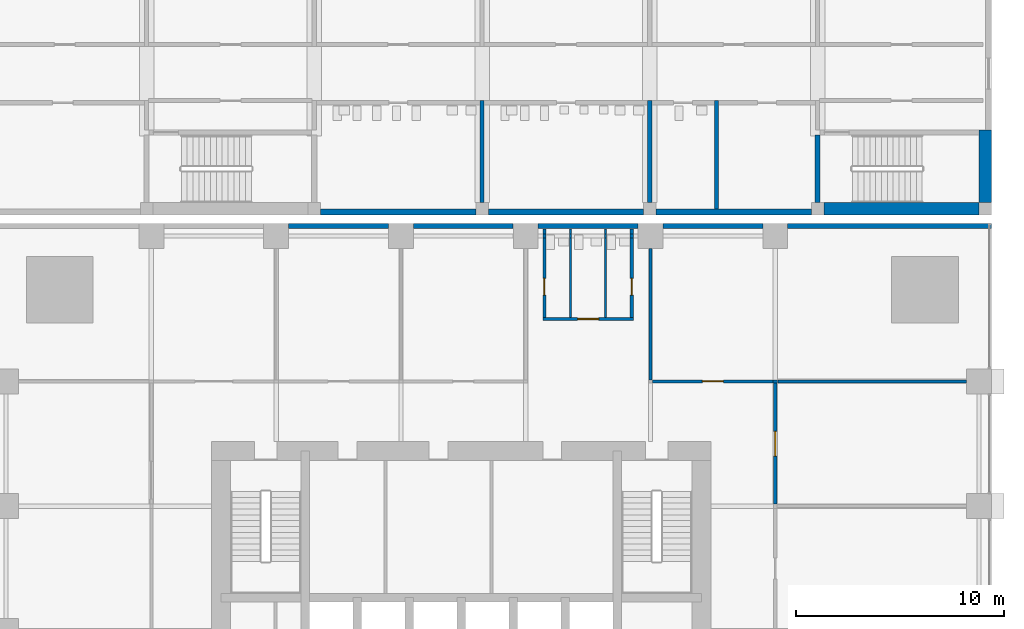
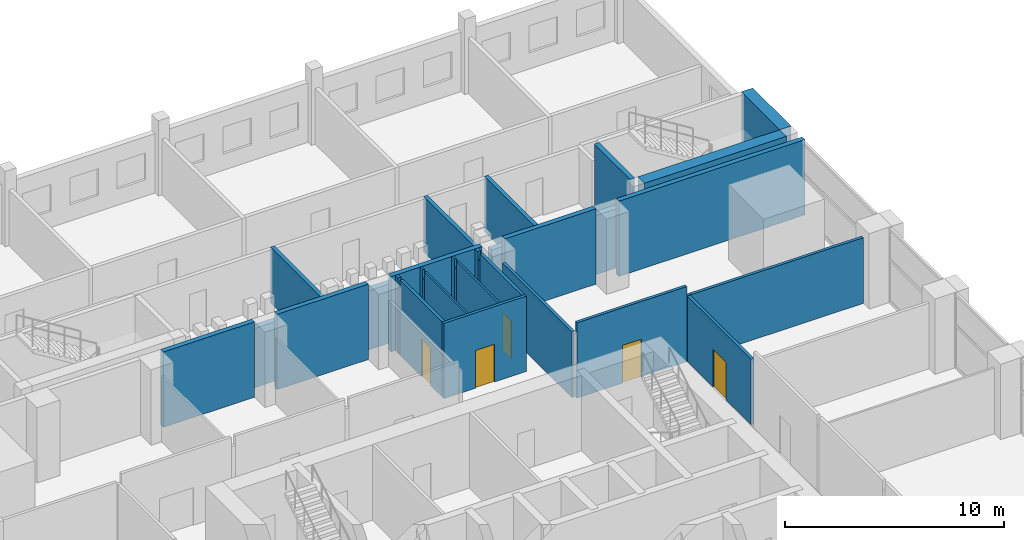
# One storey, part 15 of 25: 32 walls, 5 doors, 5 openings.
"""IFC4 building model written with IfcOpenShell, lengths in metres."""

from ifc_helpers import new_model, si_unit, direction, frame, frame_2d, origin, place, context, subcontext, project, spatial, rectangle, extrude, material, layer, layer_set, type_object, element, fill, save


model = new_model("IFC4")

# Units and contexts
model_context = context("Model", 3, precision=1e-05, world=origin(), true_north=direction((0.0, 1.0)))
body_context = subcontext(model_context, "Body", "Model", "MODEL_VIEW")
ifc_project = project(units=[si_unit("LENGTHUNIT", "METRE"), si_unit("AREAUNIT", "SQUARE_METRE"), si_unit("VOLUMEUNIT", "CUBIC_METRE"), si_unit("PLANEANGLEUNIT", "RADIAN"), si_unit("MASSUNIT", "GRAM", prefix="KILO")], contexts=[model_context])

# Site, building, storey
site_placement = place(None, origin())
site = spatial("IfcSite", under=ifc_project, at=site_placement, CompositionType="ELEMENT")
building_placement = place(site_placement, origin())
building = spatial("IfcBuilding", under=site, at=building_placement, Name="Amberfall Residences", CompositionType="ELEMENT")
storey_placement = place(building_placement, frame((0.0, 0.0, 14.5)))
storey = spatial("IfcBuildingStorey", under=building, at=storey_placement, Name="L03", CompositionType="ELEMENT", Elevation=14.5)

# Walls
ifc_material_1 = material(Name="Gypsum board on steel studs", Category="steel")
ifc_layer_1 = layer(ifc_material_1, 0.10009765625)
ifc_layer_set_1 = layer_set([ifc_layer_1], Name="Partition 100")
wall_type_1 = type_object("IfcWallType", Name="Partition 100", PredefinedType="PARTITIONING", material=ifc_layer_set_1)
wall_1_placement = place(storey_placement, frame((79.760009765625, 63.47509765625, 0.0), z_axis=(0.0, 0.0, 1.0), x_axis=(0.0, 1.0, 0.0)))
element("IfcWall", 1, at=wall_1_placement, inside=storey, type_object=wall_type_1, Name="Partition 100 L03 007", PredefinedType="PARTITIONING", context=body_context, shape_type="SweptSolid", body=[
    extrude(rectangle(XDim=3.830078125, YDim=0.10009765625, at=frame_2d((1.9150390625, 0.0))), origin(), (0.0, 0.0, 1.0), 4.199951171875),
])
wall_2_placement = place(storey_placement, frame((79.760009765625, 67.30517578125, 0.0), z_axis=(0.0, 0.0, 1.0), x_axis=(0.0, 1.0, 0.0)))
element("IfcWall", 2, at=wall_2_placement, inside=storey, type_object=wall_type_1, Name="Partition 100 L03 008", PredefinedType="PARTITIONING", context=body_context, shape_type="SweptSolid", body=[
    extrude(rectangle(XDim=0.18994140625, YDim=0.10009765625, at=frame_2d((0.094970703125, 0.0))), origin(), (0.0, 0.0, 1.0), 3.7470703125),
])
wall_3_placement = place(storey_placement, frame((79.760009765625, 67.4951171875, 0.0), z_axis=(0.0, 0.0, 1.0), x_axis=(0.0, 1.0, 0.0)))
element("IfcWall", 3, at=wall_3_placement, inside=storey, type_object=wall_type_1, Name="Partition 100 L03 009", PredefinedType="PARTITIONING", context=body_context, shape_type="SweptSolid", body=[
    extrude(rectangle(XDim=0.244873046875, YDim=0.10009765625, at=frame_2d((0.12255859375, 0.0))), origin(), (0.0, 0.0, 1.0), 4.199951171875),
])
wall_4_placement = place(storey_placement, frame((81.43994140625, 63.47509765625, 0.0), z_axis=(0.0, 0.0, 1.0), x_axis=(0.0, 1.0, 0.0)))
element("IfcWall", 4, at=wall_4_placement, inside=storey, type_object=wall_type_1, Name="Partition 100 L03 010", PredefinedType="PARTITIONING", context=body_context, shape_type="SweptSolid", body=[
    extrude(rectangle(XDim=3.830078125, YDim=0.10009765625, at=frame_2d((1.9150390625, 0.0))), origin(), (0.0, 0.0, 1.0), 4.199951171875),
])
wall_5_placement = place(storey_placement, frame((81.43994140625, 67.30517578125, 0.0), z_axis=(0.0, 0.0, 1.0), x_axis=(0.0, 1.0, 0.0)))
element("IfcWall", 5, at=wall_5_placement, inside=storey, type_object=wall_type_1, Name="Partition 100 L03 011", PredefinedType="PARTITIONING", context=body_context, shape_type="SweptSolid", body=[
    extrude(rectangle(XDim=0.18994140625, YDim=0.10009765625, at=frame_2d((0.094970703125, 0.0))), origin(), (0.0, 0.0, 1.0), 3.7470703125),
])
wall_6_placement = place(storey_placement, frame((81.43994140625, 67.4951171875, 0.0), z_axis=(0.0, 0.0, 1.0), x_axis=(0.0, 1.0, 0.0)))
element("IfcWall", 6, at=wall_6_placement, inside=storey, type_object=wall_type_1, Name="Partition 100 L03 012", PredefinedType="PARTITIONING", context=body_context, shape_type="SweptSolid", body=[
    extrude(rectangle(XDim=0.244873046875, YDim=0.10009765625, at=frame_2d((0.12255859375, 0.0))), origin(), (0.0, 0.0, 1.0), 4.199951171875),
])

# Wall, opening, door
ifc_material_2 = material(Name="Fire-rated gypsum board on steel studs", Category="steel")
ifc_layer_2 = layer(ifc_material_2, 0.14990234375)
ifc_layer_set_2 = layer_set([ifc_layer_2], Name="Partition 150 fire-rated")
wall_type_2 = type_object("IfcWallType", Name="Partition 150 fire-rated", PredefinedType="PARTITIONING", material=ifc_layer_set_2)
wall_7_placement = place(storey_placement, frame((83.70458984375, 60.39990234375, 0.0), z_axis=(0.0, 0.0, 1.0), x_axis=(1.0, 0.0, 0.0)))
wall_7 = element("IfcWall", 7, at=wall_7_placement, inside=storey, type_object=wall_type_2, Name="Partition 150 fire-rated L03 024", PredefinedType="PARTITIONING", context=body_context, shape_type="SweptSolid", body=[
    extrude(rectangle(XDim=5.7900390625, YDim=0.14990234375, at=frame_2d((2.89501953125, 0.0))), origin(), (0.0, 0.0, 1.0), 4.199951171875),
])
opening_1_placement = place(wall_7_placement, frame((2.395263671875, 0.0, 0.0)))
opening_1 = element("IfcOpeningElement", 8, at=opening_1_placement, cuts=wall_7, Name="Opening D2", PredefinedType="OPENING", context=body_context, shape_type="SweptSolid", body=[
    extrude(rectangle(XDim=1.0, YDim=2.10009765625, at=frame_2d((0.5, 1.050048828125))), frame((0.0, 0.0849609375, 0.0), z_axis=(0.0, -1.0, 0.0), x_axis=(1.0, 0.0, 0.0)), (0.0, 0.0, 1.0), 0.169921875),
])
ifc_material_3 = material(Name="Steel fire door leaf", Category="steel")
door_type_1 = type_object("IfcDoorType", Name="Fire door 1000x2100 FD30S", OperationType="SINGLE_SWING_LEFT", PredefinedType="DOOR", material=ifc_material_3)
door_1_placement = place(opening_1_placement, origin())
door_1 = element("IfcDoor", 9, at=door_1_placement, inside=storey, type_object=door_type_1, Name="Door Copy and archive room", OperationType="SINGLE_SWING_LEFT", OverallHeight=2.10009765625, OverallWidth=1.0, PredefinedType="DOOR", context=body_context, shape_type="SweptSolid", body=[
    extrude(rectangle(XDim=1.0, YDim=2.10009765625, at=frame_2d((0.5, 1.050048828125))), frame((0.0, 0.02490234375, 0.0), z_axis=(0.0, -1.0, 0.0), x_axis=(1.0, 0.0, 0.0)), (0.0, 0.0, 1.0), 0.050048828125),
])
fill(opening_1, door_1)

# Walls
wall_8_placement = place(storey_placement, frame((89.49462890625, 60.39990234375, 0.0), z_axis=(0.0, 0.0, 1.0), x_axis=(1.0, 0.0, 0.0)))
element("IfcWall", 10, at=wall_8_placement, inside=storey, type_object=wall_type_2, Name="Partition 150 fire-rated L03 025", PredefinedType="PARTITIONING", context=body_context, shape_type="SweptSolid", body=[
    extrude(rectangle(XDim=0.210693359375, YDim=0.14990234375, at=frame_2d((0.10546875, 0.0))), origin(), (0.0, 0.0, 1.0), 3.660888671875),
])
wall_9_placement = place(storey_placement, frame((89.719970703125, 60.39990234375, 0.0), z_axis=(0.0, 0.0, 1.0), x_axis=(1.0, 0.0, 0.0)))
element("IfcWall", 11, at=wall_9_placement, inside=storey, type_object=wall_type_2, Name="Partition 150 fire-rated L03 026", PredefinedType="PARTITIONING", context=body_context, shape_type="SweptSolid", body=[
    extrude(rectangle(XDim=9.080078125, YDim=0.14990234375, at=frame_2d((4.5400390625, 0.0))), origin(), (0.0, 0.0, 1.0), 3.6669921875),
])

# Wall, opening, door
wall_10_placement = place(storey_placement, frame((78.425048828125, 63.39990234375, 0.0), z_axis=(0.0, 0.0, 1.0), x_axis=(1.0, 0.0, 0.0)))
wall_10 = element("IfcWall", 12, at=wall_10_placement, inside=storey, type_object=wall_type_2, Name="Partition 150 fire-rated L03 027", PredefinedType="PARTITIONING", context=body_context, shape_type="SweptSolid", body=[
    extrude(rectangle(XDim=4.349853515625, YDim=0.14990234375, at=frame_2d((2.1748046875, 0.0))), origin(), (0.0, 0.0, 1.0), 4.199951171875),
])
opening_2_placement = place(wall_10_placement, frame((1.675048828125, 0.0, 0.0)))
opening_2 = element("IfcOpeningElement", 13, at=opening_2_placement, cuts=wall_10, Name="Opening D4", PredefinedType="OPENING", context=body_context, shape_type="SweptSolid", body=[
    extrude(rectangle(XDim=1.0, YDim=2.10009765625, at=frame_2d((0.5, 1.050048828125))), frame((0.0, 0.0849609375, 0.0), z_axis=(0.0, -1.0, 0.0), x_axis=(1.0, 0.0, 0.0)), (0.0, 0.0, 1.0), 0.169921875),
])
ifc_material_4 = material(Name="Timber veneer door leaf", Category="wood")
door_type_2 = type_object("IfcDoorType", Name="Accessible door 1000x2100", OperationType="SINGLE_SWING_LEFT", PredefinedType="DOOR", material=ifc_material_4)
door_2_placement = place(opening_2_placement, origin())
door_2 = element("IfcDoor", 14, at=door_2_placement, inside=storey, type_object=door_type_2, Name="Door Accessible WC L03", OperationType="SINGLE_SWING_LEFT", OverallHeight=2.10009765625, OverallWidth=1.0, PredefinedType="DOOR", context=body_context, shape_type="SweptSolid", body=[
    extrude(rectangle(XDim=1.0, YDim=2.10009765625, at=frame_2d((0.5, 1.050048828125))), frame((0.0, 0.02490234375, 0.0), z_axis=(0.0, -1.0, 0.0), x_axis=(1.0, 0.0, 0.0)), (0.0, 0.0, 1.0), 0.050048828125),
])
fill(opening_2, door_2)

wall_11_placement = place(storey_placement, frame((78.5, 63.47509765625, 0.0), z_axis=(0.0, 0.0, 1.0), x_axis=(0.0, 1.0, 0.0)))
wall_11 = element("IfcWall", 15, at=wall_11_placement, inside=storey, type_object=wall_type_2, Name="Partition 150 fire-rated L03 038", PredefinedType="PARTITIONING", context=body_context, shape_type="SweptSolid", body=[
    extrude(rectangle(XDim=3.830078125, YDim=0.14990234375, at=frame_2d((1.9150390625, 0.0))), origin(), (0.0, 0.0, 1.0), 4.199951171875),
])
opening_3_placement = place(wall_11_placement, frame((1.074951171875, 0.0, 0.0)))
opening_3 = element("IfcOpeningElement", 16, at=opening_3_placement, cuts=wall_11, Name="Opening D3", PredefinedType="OPENING", context=body_context, shape_type="SweptSolid", body=[
    extrude(rectangle(XDim=0.800048828125, YDim=2.10009765625, at=frame_2d((0.39990234375, 1.050048828125))), frame((0.0, 0.0849609375, 0.0), z_axis=(0.0, -1.0, 0.0), x_axis=(1.0, 0.0, 0.0)), (0.0, 0.0, 1.0), 0.169921875),
])
door_type_3 = type_object("IfcDoorType", Name="Toilet door 800x2100", OperationType="SINGLE_SWING_LEFT", PredefinedType="DOOR", material=ifc_material_4)
door_3_placement = place(opening_3_placement, origin())
door_3 = element("IfcDoor", 17, at=door_3_placement, inside=storey, type_object=door_type_3, Name="Door Gents WC L03", OperationType="SINGLE_SWING_LEFT", OverallHeight=2.10009765625, OverallWidth=0.800048828125, PredefinedType="DOOR", context=body_context, shape_type="SweptSolid", body=[
    extrude(rectangle(XDim=0.800048828125, YDim=2.10009765625, at=frame_2d((0.39990234375, 1.050048828125))), frame((0.0, 0.02490234375, 0.0), z_axis=(0.0, -1.0, 0.0), x_axis=(1.0, 0.0, 0.0)), (0.0, 0.0, 1.0), 0.050048828125),
])
fill(opening_3, door_3)

# Walls
wall_12_placement = place(storey_placement, frame((78.5, 67.30517578125, 0.0), z_axis=(0.0, 0.0, 1.0), x_axis=(0.0, 1.0, 0.0)))
element("IfcWall", 18, at=wall_12_placement, inside=storey, type_object=wall_type_2, Name="Partition 150 fire-rated L03 039", PredefinedType="PARTITIONING", context=body_context, shape_type="SweptSolid", body=[
    extrude(rectangle(XDim=0.18994140625, YDim=0.14990234375, at=frame_2d((0.094970703125, 0.0))), origin(), (0.0, 0.0, 1.0), 3.7470703125),
])
wall_13_placement = place(storey_placement, frame((78.5, 67.4951171875, 0.0), z_axis=(0.0, 0.0, 1.0), x_axis=(0.0, 1.0, 0.0)))
element("IfcWall", 19, at=wall_13_placement, inside=storey, type_object=wall_type_2, Name="Partition 150 fire-rated L03 040", PredefinedType="PARTITIONING", context=body_context, shape_type="SweptSolid", body=[
    extrude(rectangle(XDim=0.244873046875, YDim=0.14990234375, at=frame_2d((0.12255859375, 0.0))), origin(), (0.0, 0.0, 1.0), 4.199951171875),
])

# Wall, opening, door
wall_14_placement = place(storey_placement, frame((82.699951171875, 63.47509765625, 0.0), z_axis=(0.0, 0.0, 1.0), x_axis=(0.0, 1.0, 0.0)))
wall_14 = element("IfcWall", 20, at=wall_14_placement, inside=storey, type_object=wall_type_2, Name="Partition 150 fire-rated L03 041", PredefinedType="PARTITIONING", context=body_context, shape_type="SweptSolid", body=[
    extrude(rectangle(XDim=3.830078125, YDim=0.14990234375, at=frame_2d((1.9150390625, 0.0))), origin(), (0.0, 0.0, 1.0), 4.199951171875),
])
opening_4_placement = place(wall_14_placement, frame((1.074951171875, 0.0, 0.0)))
opening_4 = element("IfcOpeningElement", 21, at=opening_4_placement, cuts=wall_14, Name="Opening D3", PredefinedType="OPENING", context=body_context, shape_type="SweptSolid", body=[
    extrude(rectangle(XDim=0.800048828125, YDim=2.10009765625, at=frame_2d((0.39990234375, 1.050048828125))), frame((0.0, 0.0849609375, 0.0), z_axis=(0.0, -1.0, 0.0), x_axis=(1.0, 0.0, 0.0)), (0.0, 0.0, 1.0), 0.169921875),
])
door_4_placement = place(opening_4_placement, origin())
door_4 = element("IfcDoor", 22, at=door_4_placement, inside=storey, type_object=door_type_3, Name="Door Ladies WC L03", OperationType="SINGLE_SWING_LEFT", OverallHeight=2.10009765625, OverallWidth=0.800048828125, PredefinedType="DOOR", context=body_context, shape_type="SweptSolid", body=[
    extrude(rectangle(XDim=0.800048828125, YDim=2.10009765625, at=frame_2d((0.39990234375, 1.050048828125))), frame((0.0, 0.02490234375, 0.0), z_axis=(0.0, -1.0, 0.0), x_axis=(1.0, 0.0, 0.0)), (0.0, 0.0, 1.0), 0.050048828125),
])
fill(opening_4, door_4)

# Walls
wall_15_placement = place(storey_placement, frame((82.699951171875, 67.30517578125, 0.0), z_axis=(0.0, 0.0, 1.0), x_axis=(0.0, 1.0, 0.0)))
element("IfcWall", 23, at=wall_15_placement, inside=storey, type_object=wall_type_2, Name="Partition 150 fire-rated L03 042", PredefinedType="PARTITIONING", context=body_context, shape_type="SweptSolid", body=[
    extrude(rectangle(XDim=0.18994140625, YDim=0.14990234375, at=frame_2d((0.094970703125, 0.0))), origin(), (0.0, 0.0, 1.0), 3.7470703125),
])
wall_16_placement = place(storey_placement, frame((82.699951171875, 67.4951171875, 0.0), z_axis=(0.0, 0.0, 1.0), x_axis=(0.0, 1.0, 0.0)))
element("IfcWall", 24, at=wall_16_placement, inside=storey, type_object=wall_type_2, Name="Partition 150 fire-rated L03 043", PredefinedType="PARTITIONING", context=body_context, shape_type="SweptSolid", body=[
    extrude(rectangle(XDim=0.244873046875, YDim=0.14990234375, at=frame_2d((0.12255859375, 0.0))), origin(), (0.0, 0.0, 1.0), 4.199951171875),
])
wall_17_placement = place(storey_placement, frame((83.60009765625, 60.47509765625, 0.0), z_axis=(0.0, 0.0, 1.0), x_axis=(0.0, 1.0, 0.0)))
element("IfcWall", 25, at=wall_17_placement, inside=storey, type_object=wall_type_2, Name="Partition 150 fire-rated L03 044", PredefinedType="PARTITIONING", context=body_context, shape_type="SweptSolid", body=[
    extrude(rectangle(XDim=6.324951171875, YDim=0.14990234375, at=frame_2d((3.16259765625, 0.0))), origin(), (0.0, 0.0, 1.0), 3.6669921875),
])

# Wall, opening, door
wall_18_placement = place(storey_placement, frame((89.60009765625, 54.50537109375, 0.0), z_axis=(0.0, 0.0, 1.0), x_axis=(0.0, 1.0, 0.0)))
wall_18 = element("IfcWall", 26, at=wall_18_placement, inside=storey, type_object=wall_type_2, Name="Partition 150 fire-rated L03 053", PredefinedType="PARTITIONING", context=body_context, shape_type="SweptSolid", body=[
    extrude(rectangle(XDim=5.819580078125, YDim=0.14990234375, at=frame_2d((2.90966796875, 0.0))), origin(), (0.0, 0.0, 1.0), 3.660888671875),
])
opening_5_placement = place(wall_18_placement, frame((2.294677734375, 0.0, 0.0)))
opening_5 = element("IfcOpeningElement", 27, at=opening_5_placement, cuts=wall_18, Name="Opening D7", PredefinedType="OPENING", context=body_context, shape_type="SweptSolid", body=[
    extrude(rectangle(XDim=1.199951171875, YDim=2.10009765625, at=frame_2d((0.60009765625, 1.050048828125))), frame((0.0, 0.0849609375, 0.0), z_axis=(0.0, -1.0, 0.0), x_axis=(1.0, 0.0, 0.0)), (0.0, 0.0, 1.0), 0.169921875),
])
door_type_4 = type_object("IfcDoorType", Name="Plant room door 1200x2100", OperationType="SINGLE_SWING_LEFT", PredefinedType="DOOR", material=ifc_material_3)
door_5_placement = place(opening_5_placement, origin())
door_5 = element("IfcDoor", 28, at=door_5_placement, inside=storey, type_object=door_type_4, Name="Door IT room", OperationType="SINGLE_SWING_LEFT", OverallHeight=2.10009765625, OverallWidth=1.199951171875, PredefinedType="DOOR", context=body_context, shape_type="SweptSolid", body=[
    extrude(rectangle(XDim=1.199951171875, YDim=2.10009765625, at=frame_2d((0.60009765625, 1.050048828125))), frame((0.0, 0.02490234375, 0.0), z_axis=(0.0, -1.0, 0.0), x_axis=(1.0, 0.0, 0.0)), (0.0, 0.0, 1.0), 0.050048828125),
])
fill(opening_5, door_5)

# Walls
ifc_material_5 = material(Name="Precast concrete C40", Category="concrete")
ifc_layer_3 = layer(ifc_material_5, 0.25)
ifc_layer_set_3 = layer_set([ifc_layer_3], Name="Podium external wall 250")
wall_type_3 = type_object("IfcWallType", Name="Podium external wall 250", PredefinedType="SOLIDWALL", material=ifc_layer_set_3)
for number, where, z_axis, x_axis, name in (
    (29, (66.199951171875, 67.875, 0.0), (0.0, 0.0, 1.0), (1.0, 0.0, 0.0), "Podium external wall N3"),
    (30, (72.199951171875, 67.875, 0.0), (0.0, 0.0, 1.0), (1.0, 0.0, 0.0), "Podium external wall N4"),
    (31, (78.199951171875, 67.875, 0.0), (0.0, 0.0, 1.0), (1.0, 0.0, 0.0), "Podium external wall N5"),
    (32, (84.199951171875, 67.875, 0.0), (0.0, 0.0, 1.0), (1.0, 0.0, 0.0), "Podium external wall N6"),
):
    element("IfcWall", number, at=place(storey_placement, frame(where, z_axis=z_axis, x_axis=x_axis)), inside=storey, type_object=wall_type_3, Name=name, PredefinedType="SOLIDWALL", context=body_context, shape_type="SweptSolid", body=[
        extrude(rectangle(XDim=4.800048828125, YDim=0.25, at=frame_2d((2.39990234375, 0.0))), origin(), (0.0, 0.0, 1.0), 4.199951171875),
    ])
wall_19_placement = place(storey_placement, frame((90.199951171875, 67.875, 0.0), z_axis=(0.0, 0.0, 1.0), x_axis=(1.0, 0.0, 0.0)))
element("IfcWall", 33, at=wall_19_placement, inside=storey, type_object=wall_type_3, Name="Podium external wall N7", PredefinedType="SOLIDWALL", context=body_context, shape_type="SweptSolid", body=[
    extrude(rectangle(XDim=9.800048828125, YDim=0.25, at=frame_2d((4.89990234375, 0.0))), origin(), (0.0, 0.0, 1.0), 4.199951171875),
])
ifc_material_6 = material(Name="Aerated block wall")
ifc_layer_4 = layer(ifc_material_6, 0.300048828125)
ifc_layer_set_4 = layer_set([ifc_layer_4], Name="School external wall 300")
wall_type_4 = type_object("IfcWallType", Name="School external wall 300", PredefinedType="SOLIDWALL", material=ifc_layer_set_4)
for number, where, z_axis, x_axis, name in (
    (34, (67.73291015625, 68.550048828125, 0.0), (0.0, 0.0, 1.0), (1.0, 0.0, 0.0), "School external wall L03 EY2"),
    (35, (75.800048828125, 68.550048828125, 0.0), (0.0, 0.0, 1.0), (1.0, 0.0, 0.0), "School external wall L03 EY3"),
):
    element("IfcWall", number, at=place(storey_placement, frame(where, z_axis=z_axis, x_axis=x_axis)), inside=storey, type_object=wall_type_4, Name=name, PredefinedType="SOLIDWALL", context=body_context, shape_type="SweptSolid", body=[
        extrude(rectangle(XDim=7.467041015625, YDim=0.300048828125, at=frame_2d((3.7333984375, 0.0))), origin(), (0.0, 0.0, 1.0), 3.300048828125),
    ])
wall_20_placement = place(storey_placement, frame((83.866943359375, 68.550048828125, 0.0), z_axis=(0.0, 0.0, 1.0), x_axis=(1.0, 0.0, 0.0)))
element("IfcWall", 36, at=wall_20_placement, inside=storey, type_object=wall_type_4, Name="School external wall L03 EY4", PredefinedType="SOLIDWALL", context=body_context, shape_type="SweptSolid", body=[
    extrude(rectangle(XDim=7.466064453125, YDim=0.300048828125, at=frame_2d((3.73291015625, 0.0))), origin(), (0.0, 0.0, 1.0), 3.300048828125),
])
ifc_layer_5 = layer(ifc_material_6, 0.199951171875)
ifc_layer_set_5 = layer_set([ifc_layer_5], Name="School partition 200")
wall_type_5 = type_object("IfcWallType", Name="School partition 200", PredefinedType="PARTITIONING", material=ifc_layer_set_5)
for number, where, z_axis, x_axis, name in (
    (37, (75.5, 69.0, 0.0), (0.0, 0.0, 1.0), (0.0, 1.0, 0.0), "School partition L03 PS3"),
    (38, (83.56689453125, 69.0, 0.0), (0.0, 0.0, 1.0), (0.0, 1.0, 0.0), "School partition L03 PS4"),
):
    element("IfcWall", number, at=place(storey_placement, frame(where, z_axis=z_axis, x_axis=x_axis)), inside=storey, type_object=wall_type_5, Name=name, PredefinedType="PARTITIONING", context=body_context, shape_type="SweptSolid", body=[
        extrude(rectangle(XDim=4.89990234375, YDim=0.199951171875, at=frame_2d((2.449951171875, 0.0))), origin(), (0.0, 0.0, 1.0), 3.10009765625),
    ])
wall_21_placement = place(storey_placement, frame((86.76708984375, 68.699951171875, 0.0), z_axis=(0.0, 0.0, 1.0), x_axis=(0.0, 1.0, 0.0)))
element("IfcWall", 39, at=wall_21_placement, inside=storey, type_object=wall_type_5, Name="School partition L03 PS4x", PredefinedType="PARTITIONING", context=body_context, shape_type="SweptSolid", body=[
    extrude(rectangle(XDim=5.199951171875, YDim=0.199951171875, at=frame_2d((2.60009765625, 0.0))), origin(), (0.0, 0.0, 1.0), 3.10009765625),
])
ifc_material_7 = material(Name="Concrete C50", Category="concrete")
ifc_layer_6 = layer(ifc_material_7, 0.25)
ifc_layer_set_6 = layer_set([ifc_layer_6], Name="School stair core wall 250 C50")
wall_type_6 = type_object("IfcWallType", Name="School stair core wall 250 C50", PredefinedType="SHEAR", material=ifc_layer_set_6)
wall_22_placement = place(storey_placement, frame((91.633056640625, 69.0, -0.300048828125), z_axis=(0.0, 0.0, 1.0), x_axis=(0.0, 1.0, 0.0)))
element("IfcWall", 40, at=wall_22_placement, inside=storey, type_object=wall_type_6, Name="School core wall L03 SS5W", PredefinedType="SHEAR", context=body_context, shape_type="SweptSolid", body=[
    extrude(rectangle(XDim=3.25, YDim=0.25, at=frame_2d((1.625, 0.0))), origin(), (0.0, 0.0, 1.0), 4.5),
])
ifc_layer_7 = layer(ifc_material_7, 0.60009765625)
ifc_layer_set_7 = layer_set([ifc_layer_7], Name="School tower-side core wall 600 C50")
wall_type_7 = type_object("IfcWallType", Name="School tower-side core wall 600 C50", PredefinedType="SHEAR", material=ifc_layer_set_7)
wall_23_placement = place(storey_placement, frame((99.699951171875, 69.0, -0.300048828125), z_axis=(0.0, 0.0, 1.0), x_axis=(0.0, 1.0, 0.0)))
element("IfcWall", 41, at=wall_23_placement, inside=storey, type_object=wall_type_7, Name="School core wall L03 SS5EE", PredefinedType="SHEAR", context=body_context, shape_type="SweptSolid", body=[
    extrude(rectangle(XDim=3.5, YDim=0.60009765625, at=frame_2d((1.75, 0.0))), origin(), (0.0, 0.0, 1.0), 4.5),
])
wall_24_placement = place(storey_placement, frame((91.93310546875, 68.699951171875, -0.300048828125), z_axis=(0.0, 0.0, 1.0), x_axis=(1.0, 0.0, 0.0)))
element("IfcWall", 42, at=wall_24_placement, inside=storey, type_object=wall_type_7, Name="School core wall L03 SS5S", PredefinedType="SHEAR", context=body_context, shape_type="SweptSolid", body=[
    extrude(rectangle(XDim=7.466796875, YDim=0.60009765625, at=frame_2d((3.7333984375, 0.0))), origin(), (0.0, 0.0, 1.0), 4.5),
])

save(model, "model.ifc")
